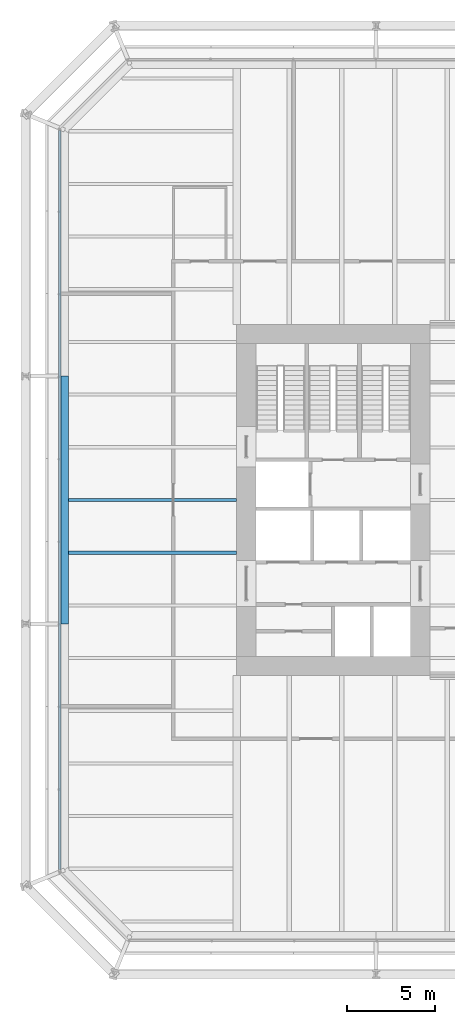
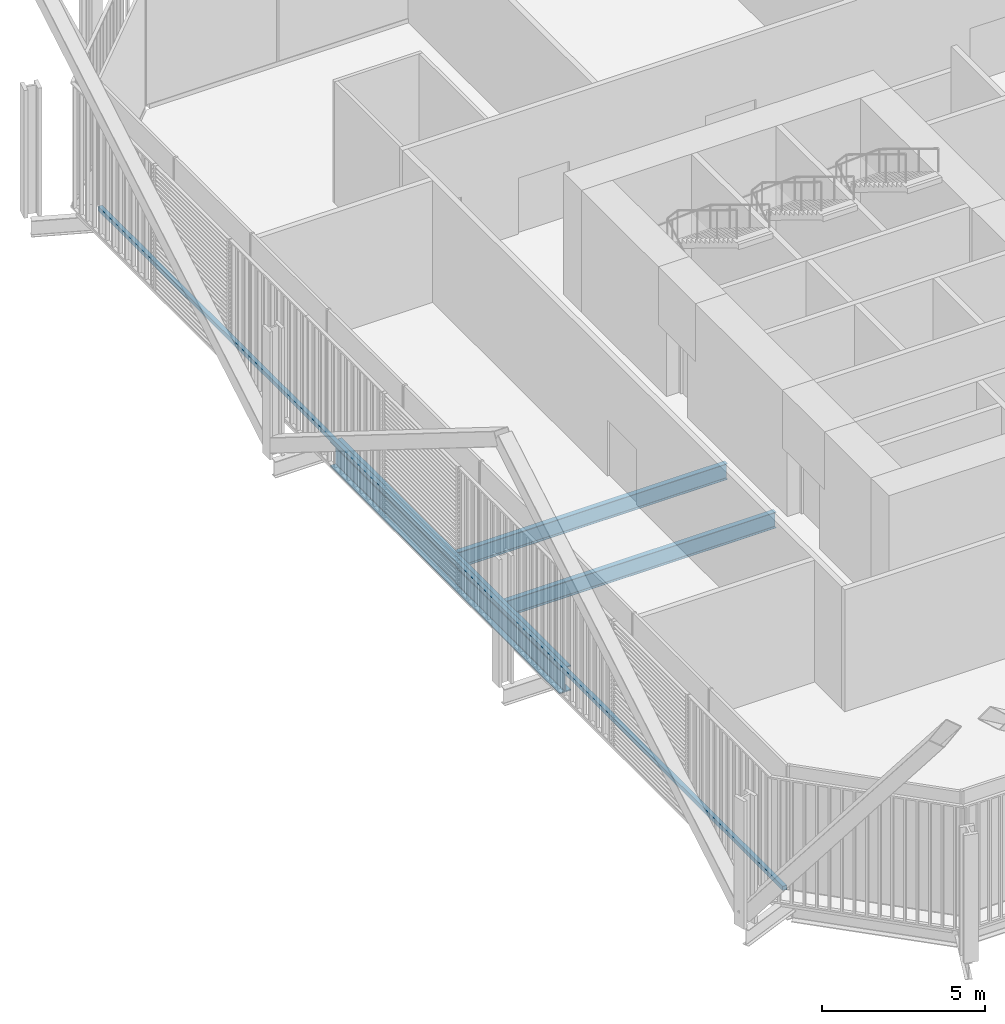
# One storey, part 6 of 22: 3 beams, 1 member, 1 element without a shape of its own.
"""IFC4 building model written with IfcOpenShell, lengths in metres."""

from ifc_helpers import new_model, si_unit, direction, frame, origin, origin_2d, place, context, subcontext, project, spatial, rectangle, i_section, extrude, material, layer, layer_set, material_profile, profile_set, type_object, element, aggregate, save


model = new_model("IFC4")

# Units and contexts
model_context = context("Model", 3, precision=1e-05, world=origin(), true_north=direction((0.0, 1.0)))
body_context = subcontext(model_context, "Body", "Model", "MODEL_VIEW")
ifc_project = project(units=[si_unit("LENGTHUNIT", "METRE"), si_unit("AREAUNIT", "SQUARE_METRE"), si_unit("VOLUMEUNIT", "CUBIC_METRE"), si_unit("PLANEANGLEUNIT", "RADIAN"), si_unit("MASSUNIT", "GRAM", prefix="KILO")], contexts=[model_context])

# Site, building, storey
site_placement = place(None, origin())
site = spatial("IfcSite", under=ifc_project, at=site_placement, CompositionType="ELEMENT")
building_placement = place(site_placement, origin())
building = spatial("IfcBuilding", under=site, at=building_placement, Name="Millrace Tower", CompositionType="ELEMENT")
storey_placement = place(building_placement, frame((0.0, 0.0, 35.300048828125)))
storey = spatial("IfcBuildingStorey", under=building, at=storey_placement, Name="L08", CompositionType="ELEMENT", Elevation=35.300048828125)

# Curtain wall, member
ifc_material_1 = material(Name="Aluminium and glass", Category="aluminium")
ifc_layer = layer(ifc_material_1, 0.14990234375)
ifc_layer_set = layer_set([ifc_layer], Name="Aluminium and glass")
curtain_wall_type = type_object("IfcCurtainWallType", Name="CW-2 data hall insulated curtain wall", PredefinedType="NOTDEFINED", material=ifc_layer_set)
curtain_wall_placement = place(storey_placement, origin())
curtain_wall = element("IfcCurtainWall", 1, at=curtain_wall_placement, inside=storey, type_object=curtain_wall_type, Name="Curtain wall A-F08 L08", PredefinedType="NOTDEFINED")
ifc_material_2 = material(Name="Aluminium", Category="aluminium")
ifc_material_profile_1 = material_profile(ifc_material_2, rectangle(XDim=0.14990234375, YDim=0.159912109375, at=origin_2d()))
ifc_profile_set_1 = profile_set([ifc_material_profile_1], Name="Aluminium")
member_type = type_object("IfcMemberType", Name="CW-2 data hall insulated curtain wall transom", PredefinedType="USERDEFINED", material=ifc_profile_set_1)
member_placement = place(storey_placement, frame((-25.074951171875, 21.050048828125, 0.079833984375), z_axis=(0.0, -1.0, 0.0), x_axis=(1.0, 0.0, 0.0)))
member = element("IfcMember", 2, at=member_placement, type_object=member_type, Name="CW2 transom A-F08.1", ObjectType="TRANSOM", PredefinedType="USERDEFINED", context=body_context, shape_type="SweptSolid", body=[
    extrude(rectangle(XDim=0.14990234375, YDim=0.159912109375, at=origin_2d()), origin(), (0.0, 0.0, 1.0), 42.10009765625),
])
aggregate(curtain_wall, [member])

# Beams
ifc_material_3 = material(Name="Steel ASTM A992 Grade 50", Category="steel")
ifc_material_profile_2 = material_profile(ifc_material_3, i_section(OverallWidth=0.1787109375, OverallDepth=0.60205078125, WebThickness=0.010986328125, FlangeThickness=0.014892578125, FilletRadius=0.0126953125, at=origin_2d()))
ifc_profile_set_2 = profile_set([ifc_material_profile_2], Name="Steel ASTM A992 Grade 50")
beam_type_1 = type_object("IfcBeamType", Name="Floor beam W24x62", PredefinedType="JOIST", material=ifc_profile_set_2)
for number, where, z_axis, x_axis, name in (
    (3, (-24.578369140625, -3.0, -0.526123046875), (1.0, 0.0, 0.0), (0.0, 1.0, 0.0), "BM-A-L08-S1-S018"),
    (4, (-24.578369140625, 0.0, -0.526123046875), (1.0, 0.0, 0.0), (0.0, 1.0, 0.0), "BM-A-L08-S1-S021"),
):
    element("IfcBeam", number, at=place(storey_placement, frame(where, z_axis=z_axis, x_axis=x_axis)), inside=storey, type_object=beam_type_1, Name=name, PredefinedType="JOIST", context=body_context, shape_type="SweptSolid", body=[
        extrude(i_section(OverallWidth=0.1787109375, OverallDepth=0.60205078125, WebThickness=0.010986328125, FlangeThickness=0.014892578125, FilletRadius=0.0126953125, at=origin_2d()), origin(), (0.0, 0.0, 1.0), 9.578369140625),
    ])
ifc_material_4 = material(Name="Steel ASTM A992 Grade 50", Category="steel")
ifc_material_profile_3 = material_profile(ifc_material_4, i_section(OverallWidth=0.421630859375, OverallDepth=0.937255859375, WebThickness=0.021240234375, FlangeThickness=0.03662109375, FilletRadius=0.024169921875, at=origin_2d()))
ifc_profile_set_3 = profile_set([ifc_material_profile_3], Name="Steel ASTM A992 Grade 50")
beam_type_2 = type_object("IfcBeamType", Name="Ring beam medium span W36x262", PredefinedType="SPANDREL", material=ifc_profile_set_3)
beam_placement = place(storey_placement, frame((-24.7890625, -7.050048828125, -0.693603515625), z_axis=(0.0, 1.0, 0.0), x_axis=(-1.0, 0.0, 0.0)))
element("IfcBeam", 5, at=beam_placement, inside=storey, type_object=beam_type_2, Name="RNG-A-L08-S1-02", PredefinedType="SPANDREL", context=body_context, shape_type="SweptSolid", body=[
    extrude(i_section(OverallWidth=0.421630859375, OverallDepth=0.937255859375, WebThickness=0.021240234375, FlangeThickness=0.03662109375, FilletRadius=0.024169921875, at=origin_2d()), origin(), (0.0, 0.0, 1.0), 14.10009765625),
])

save(model, "model.ifc")
